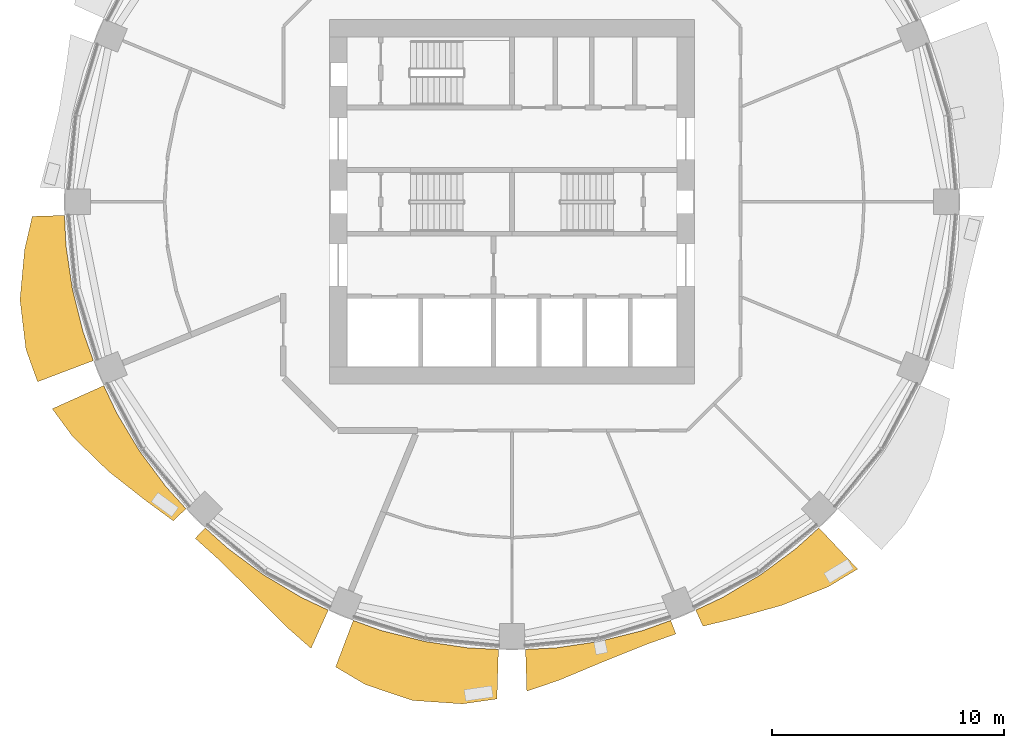
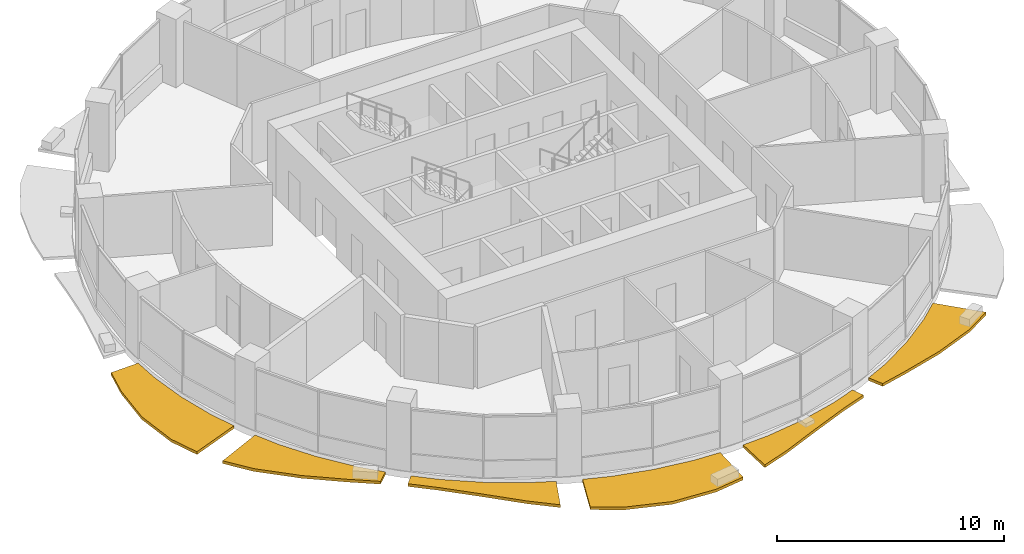
# One storey, part 12 of 15: 6 shading devices.
"""IFC4 building model written with IfcOpenShell, lengths in metres."""

from ifc_helpers import new_model, si_unit, direction, frame, origin, place, context, subcontext, project, spatial, polyline, outline, extrude, material, type_object, element, save


model = new_model("IFC4")

# Units and contexts
model_context = context("Model", 3, precision=1e-05, world=origin(), true_north=direction((0.0, 1.0)))
body_context = subcontext(model_context, "Body", "Model", "MODEL_VIEW")
ifc_project = project(units=[si_unit("LENGTHUNIT", "METRE"), si_unit("AREAUNIT", "SQUARE_METRE"), si_unit("VOLUMEUNIT", "CUBIC_METRE"), si_unit("PLANEANGLEUNIT", "RADIAN"), si_unit("MASSUNIT", "GRAM", prefix="KILO")], contexts=[model_context])

# Site, building, storey
site_placement = place(None, origin())
site = spatial("IfcSite", under=ifc_project, at=site_placement, CompositionType="ELEMENT")
building_placement = place(site_placement, origin())
building = spatial("IfcBuilding", under=site, at=building_placement, Name="Polderwave Tower", CompositionType="ELEMENT")
storey_placement = place(building_placement, frame((0.0, 0.0, 83.699951171875)))
storey = spatial("IfcBuildingStorey", under=building, at=storey_placement, Name="L21", CompositionType="ELEMENT", Elevation=83.699951171875)

# Shading devices
ifc_material = material(Name="Terracotta", Category="masonry")
shading_device_type = type_object("IfcShadingDeviceType", Name="Terracotta sunshade band", PredefinedType="USERDEFINED", material=ifc_material)
shading_device_1_placement = place(storey_placement, frame((0.0, 0.0, -0.349853515625)))
element("IfcShadingDevice", 1, at=shading_device_1_placement, inside=storey, type_object=shading_device_type, Name="Sunshade band L21 9", ObjectType="SUNSHADE", PredefinedType="USERDEFINED", context=body_context, shape_type="SweptSolid", body=[
    extrude(outline(polyline([(-19.3212890625, -0.583984375), (-19.2568359375, -1.896484375), (-18.978271484375, -3.77490234375), (-18.516845703125, -5.616943359375), (-18.073974609375, -6.8544921875), (-20.48388671875, -7.768310546875), (-20.98681640625, -6.3662109375), (-21.242431640625, -4.225341796875), (-21.04541015625, -2.07275390625), (-20.712890625, -0.6259765625), (-19.3212890625, -0.583984375)])), origin(), (0.0, 0.0, 1.0), 0.14990234375),
])
shading_device_2_placement = place(storey_placement, frame((0.0, 0.0, -0.349853515625)))
element("IfcShadingDevice", 2, at=shading_device_2_placement, inside=storey, type_object=shading_device_type, Name="Sunshade band L21 10", ObjectType="SUNSHADE", PredefinedType="USERDEFINED", context=body_context, shape_type="SweptSolid", body=[
    extrude(outline(polyline([(-17.627197265625, -7.933349609375), (-17.065185546875, -9.12158203125), (-16.0888671875, -10.750244140625), (-14.957763671875, -12.275390625), (-14.0751953125, -13.24951171875), (-14.627685546875, -13.76953125), (-15.763671875, -12.93701171875), (-17.41748046875, -11.637939453125), (-18.964599609375, -10.13671875), (-19.850830078125, -8.93408203125), (-17.627197265625, -7.933349609375)])), origin(), (0.0, 0.0, 1.0), 0.14990234375),
])
shading_device_3_placement = place(storey_placement, frame((0.0, 0.0, -0.349853515625)))
element("IfcShadingDevice", 3, at=shading_device_3_placement, inside=storey, type_object=shading_device_type, Name="Sunshade band L21 11", ObjectType="SUNSHADE", PredefinedType="USERDEFINED", context=body_context, shape_type="SweptSolid", body=[
    extrude(outline(polyline([(-13.24951171875, -14.0751953125), (-12.275390625, -14.957763671875), (-10.750244140625, -16.0888671875), (-9.12158203125, -17.065185546875), (-7.933349609375, -17.627197265625), (-8.677001953125, -19.279541015625), (-9.784912109375, -18.30615234375), (-11.247314453125, -16.832763671875), (-12.668701171875, -15.436767578125), (-13.675537109375, -14.52783203125), (-13.24951171875, -14.0751953125)])), origin(), (0.0, 0.0, 1.0), 0.14990234375),
])
shading_device_4_placement = place(storey_placement, frame((0.0, 0.0, -0.349853515625)))
element("IfcShadingDevice", 4, at=shading_device_4_placement, inside=storey, type_object=shading_device_type, Name="Sunshade band L21 12", ObjectType="SUNSHADE", PredefinedType="USERDEFINED", context=body_context, shape_type="SweptSolid", body=[
    extrude(outline(polyline([(-6.8544921875, -18.073974609375), (-5.616943359375, -18.516845703125), (-3.77490234375, -18.978271484375), (-1.896484375, -19.2568359375), (-0.583984375, -19.3212890625), (-0.648681640625, -21.46142578125), (-2.134765625, -21.67529296875), (-4.2822265625, -21.5283203125), (-6.3232421875, -20.8447265625), (-7.614990234375, -20.07958984375), (-6.8544921875, -18.073974609375)])), origin(), (0.0, 0.0, 1.0), 0.14990234375),
])
shading_device_5_placement = place(storey_placement, frame((0.0, 0.0, -0.349853515625)))
element("IfcShadingDevice", 5, at=shading_device_5_placement, inside=storey, type_object=shading_device_type, Name="Sunshade band L21 13", ObjectType="SUNSHADE", PredefinedType="USERDEFINED", context=body_context, shape_type="SweptSolid", body=[
    extrude(outline(polyline([(0.583984375, -19.3212890625), (1.896484375, -19.2568359375), (3.77490234375, -18.978271484375), (5.616943359375, -18.516845703125), (6.8544921875, -18.073974609375), (7.0751953125, -18.65625), (5.796630859375, -19.10888671875), (3.948974609375, -19.852294921875), (2.0341796875, -20.65283203125), (0.638427734375, -21.128173828125), (0.583984375, -19.3212890625)])), origin(), (0.0, 0.0, 1.0), 0.14990234375),
])
shading_device_6_placement = place(storey_placement, frame((0.0, 0.0, -0.349853515625)))
element("IfcShadingDevice", 6, at=shading_device_6_placement, inside=storey, type_object=shading_device_type, Name="Sunshade band L21 14", ObjectType="SUNSHADE", PredefinedType="USERDEFINED", context=body_context, shape_type="SweptSolid", body=[
    extrude(outline(polyline([(7.933349609375, -17.627197265625), (9.12158203125, -17.065185546875), (10.750244140625, -16.0888671875), (12.275390625, -14.957763671875), (13.24951171875, -14.0751953125), (14.922607421875, -15.8525390625), (13.644287109375, -16.62548828125), (11.640380859375, -17.421142578125), (9.61474609375, -17.98779296875), (8.245849609375, -18.321533203125), (7.933349609375, -17.627197265625)])), origin(), (0.0, 0.0, 1.0), 0.14990234375),
])

save(model, "model.ifc")
